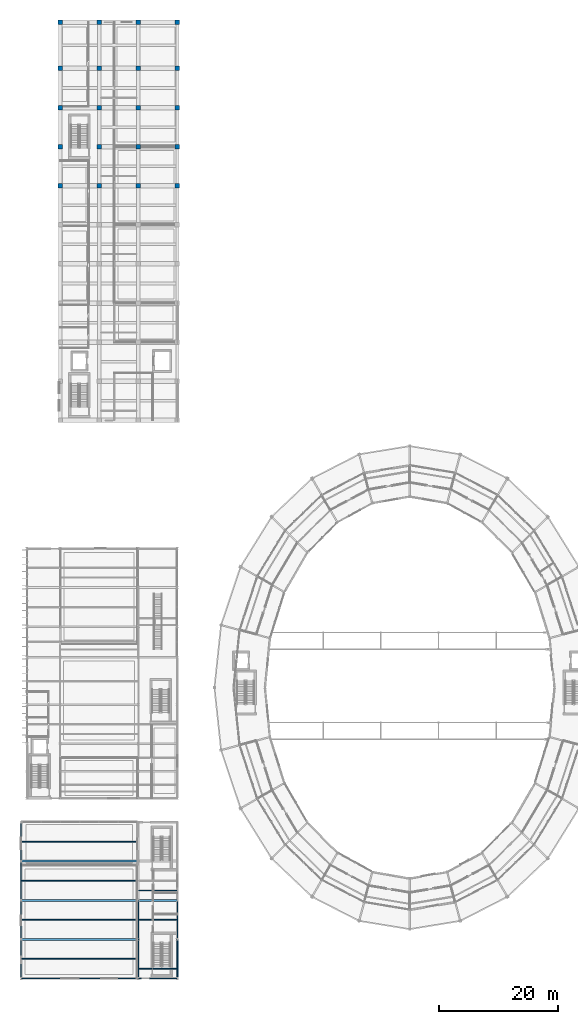
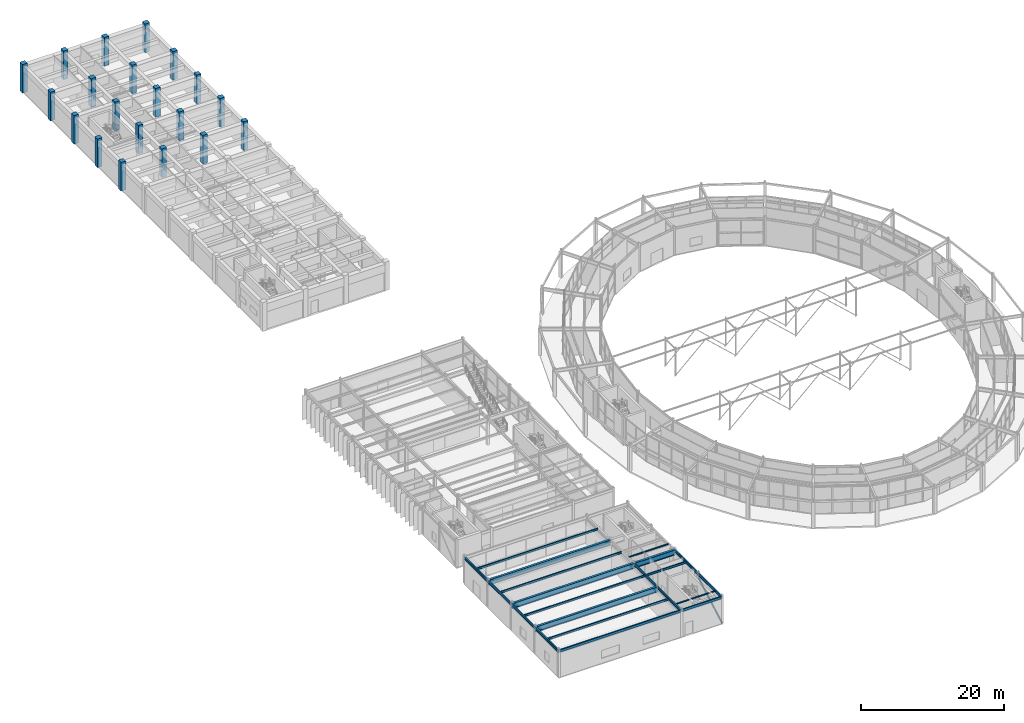
# One storey, part 18 of 144: 21 beams, 20 columns, 1 member.
"""IFC4 building model written with IfcOpenShell, lengths in metres."""

from ifc_helpers import new_model, si_unit, direction, frame, origin, origin_2d, place, context, subcontext, project, spatial, rectangle, hollow_rectangle, hollow_circle, i_section, extrude, material, material_profile, profile_set, type_object, element, save


model = new_model("IFC4")

# Units and contexts
model_context = context("Model", 3, precision=1e-05, world=origin(), true_north=direction((0.0, 1.0)))
body_context = subcontext(model_context, "Body", "Model", "MODEL_VIEW")
ifc_project = project(units=[si_unit("LENGTHUNIT", "METRE"), si_unit("AREAUNIT", "SQUARE_METRE"), si_unit("VOLUMEUNIT", "CUBIC_METRE"), si_unit("PLANEANGLEUNIT", "RADIAN"), si_unit("MASSUNIT", "GRAM", prefix="KILO")], contexts=[model_context])

# Site, building, storey
site_placement = place(None, origin())
site = spatial("IfcSite", under=ifc_project, at=site_placement, CompositionType="ELEMENT")
building_placement = place(site_placement, origin())
building = spatial("IfcBuilding", under=site, at=building_placement, Name="Karori Crest Natural Sciences Institute", CompositionType="ELEMENT")
storey_placement = place(building_placement, origin())
storey = spatial("IfcBuildingStorey", under=building, at=storey_placement, Name="L00", CompositionType="ELEMENT", Elevation=0.0)

# Columns
ifc_material_1 = material(Name="Concrete 50 MPa", Category="concrete")
ifc_material_profile_1 = material_profile(ifc_material_1, rectangle(XDim=0.75, YDim=0.75, at=origin_2d()), Name="RC750x750")
ifc_profile_set_1 = profile_set([ifc_material_profile_1], Name="Concrete 50 MPa")
column_type_1 = type_object("IfcColumnType", Name="CT-18", PredefinedType="COLUMN", material=ifc_profile_set_1)
for number, where, z_axis, x_axis, name in (
    (1, (7.39990234375, 134.60009765625, 0.0), (0.0, 0.0, 1.0), (1.0, 0.0, 0.0), "Column C-0756"),
    (2, (7.39990234375, 141.199951171875, 0.0), (0.0, 0.0, 1.0), (1.0, 0.0, 0.0), "Column C-0763"),
    (3, (7.39990234375, 147.800048828125, 0.0), (0.0, 0.0, 1.0), (1.0, 0.0, 0.0), "Column C-0770"),
    (4, (7.39990234375, 154.39990234375, 0.0), (0.0, 0.0, 1.0), (1.0, 0.0, 0.0), "Column C-0777"),
    (5, (7.39990234375, 162.199951171875, 0.0), (0.0, 0.0, 1.0), (1.0, 0.0, 0.0), "Column C-0782"),
    (6, (14.0, 162.199951171875, 0.0), (0.0, 0.0, 1.0), (1.0, 0.0, 0.0), "Column C-0859"),
    (7, (20.60009765625, 162.199951171875, 0.0), (0.0, 0.0, 1.0), (1.0, 0.0, 0.0), "Column C-0936"),
    (8, (27.199951171875, 134.60009765625, 0.0), (0.0, 0.0, 1.0), (1.0, 0.0, 0.0), "Column C-0987"),
    (9, (27.199951171875, 141.199951171875, 0.0), (0.0, 0.0, 1.0), (1.0, 0.0, 0.0), "Column C-0994"),
    (10, (27.199951171875, 147.800048828125, 0.0), (0.0, 0.0, 1.0), (1.0, 0.0, 0.0), "Column C-1001"),
    (11, (27.199951171875, 154.39990234375, 0.0), (0.0, 0.0, 1.0), (1.0, 0.0, 0.0), "Column C-1008"),
    (12, (27.199951171875, 162.199951171875, 0.0), (0.0, 0.0, 1.0), (1.0, 0.0, 0.0), "Column C-1013"),
):
    element("IfcColumn", number, at=place(storey_placement, frame(where, z_axis=z_axis, x_axis=x_axis)), inside=storey, type_object=column_type_1, Name=name, PredefinedType="COLUMN", context=body_context, shape_type="SweptSolid", body=[
        extrude(rectangle(XDim=0.75, YDim=0.75, at=origin_2d()), origin(), (0.0, 0.0, 1.0), 4.89990234375),
    ])
ifc_material_profile_2 = material_profile(ifc_material_1, rectangle(XDim=0.75, YDim=0.75, at=origin_2d()), Name="RC750x750")
ifc_profile_set_2 = profile_set([ifc_material_profile_2], Name="Concrete 50 MPa")
column_type_2 = type_object("IfcColumnType", Name="CT-18-IL", PredefinedType="COLUMN", material=ifc_profile_set_2)
for number, where, z_axis, x_axis, name in (
    (13, (14.0, 134.60009765625, 0.0), (0.0, 0.0, 1.0), (1.0, 0.0, 0.0), "Column C-0833"),
    (14, (14.0, 141.199951171875, 0.0), (0.0, 0.0, 1.0), (1.0, 0.0, 0.0), "Column C-0840"),
    (15, (14.0, 147.800048828125, 0.0), (0.0, 0.0, 1.0), (1.0, 0.0, 0.0), "Column C-0847"),
    (16, (14.0, 154.39990234375, 0.0), (0.0, 0.0, 1.0), (1.0, 0.0, 0.0), "Column C-0854"),
    (17, (20.60009765625, 134.60009765625, 0.0), (0.0, 0.0, 1.0), (1.0, 0.0, 0.0), "Column C-0910"),
    (18, (20.60009765625, 141.199951171875, 0.0), (0.0, 0.0, 1.0), (1.0, 0.0, 0.0), "Column C-0917"),
    (19, (20.60009765625, 147.800048828125, 0.0), (0.0, 0.0, 1.0), (1.0, 0.0, 0.0), "Column C-0924"),
    (20, (20.60009765625, 154.39990234375, 0.0), (0.0, 0.0, 1.0), (1.0, 0.0, 0.0), "Column C-0931"),
):
    element("IfcColumn", number, at=place(storey_placement, frame(where, z_axis=z_axis, x_axis=x_axis)), inside=storey, type_object=column_type_2, Name=name, PredefinedType="COLUMN", context=body_context, shape_type="SweptSolid", body=[
        extrude(rectangle(XDim=0.75, YDim=0.75, at=origin_2d()), origin(), (0.0, 0.0, 1.0), 4.89990234375),
    ])

# Beams
ifc_material_2 = material(Name="Structural steel AS/NZS 3679.1 Grade 350", Category="steel")
ifc_material_profile_3 = material_profile(ifc_material_2, i_section(OverallWidth=0.35009765625, OverallDepth=0.907958984375, WebThickness=0.01611328125, FlangeThickness=0.028076171875, FilletRadius=0.01611328125, at=origin_2d()), Name="900WB257")
ifc_profile_set_3 = profile_set([ifc_material_profile_3], Name="Structural steel AS/NZS 3679.1 Grade 350")
beam_type_1 = type_object("IfcBeamType", Name="BT-01", PredefinedType="BEAM", material=ifc_profile_set_3)
for number, where, z_axis, x_axis, name in (
    (21, (0.800048828125, 7.39990234375, 4.166015625), (1.0, 0.0, 0.0), (0.0, 1.0, 0.0), "Beam B-0787"),
    (22, (0.800048828125, 14.0, 4.166015625), (1.0, 0.0, 0.0), (0.0, 1.0, 0.0), "Beam B-0788"),
):
    element("IfcBeam", number, at=place(storey_placement, frame(where, z_axis=z_axis, x_axis=x_axis)), inside=storey, type_object=beam_type_1, Name=name, PredefinedType="BEAM", context=body_context, shape_type="SweptSolid", body=[
        extrude(i_section(OverallWidth=0.35009765625, OverallDepth=0.907958984375, WebThickness=0.01611328125, FlangeThickness=0.028076171875, FilletRadius=0.01611328125, at=origin_2d()), origin(), (0.0, 0.0, 1.0), 19.800048828125),
    ])
beam_1_placement = place(storey_placement, frame((20.60009765625, 14.0, 4.166015625), z_axis=(1.0, 0.0, 0.0), x_axis=(0.0, 1.0, 0.0)))
element("IfcBeam", 23, at=beam_1_placement, inside=storey, type_object=beam_type_1, Name="Beam B-0789", PredefinedType="BEAM", context=body_context, shape_type="SweptSolid", body=[
    extrude(i_section(OverallWidth=0.35009765625, OverallDepth=0.907958984375, WebThickness=0.01611328125, FlangeThickness=0.028076171875, FilletRadius=0.01611328125, at=origin_2d()), origin(), (0.0, 0.0, 1.0), 6.599853515625),
])
beam_2_placement = place(storey_placement, frame((0.800048828125, 20.60009765625, 4.166015625), z_axis=(1.0, 0.0, 0.0), x_axis=(0.0, 1.0, 0.0)))
element("IfcBeam", 24, at=beam_2_placement, inside=storey, type_object=beam_type_1, Name="Beam B-0790", PredefinedType="BEAM", context=body_context, shape_type="SweptSolid", body=[
    extrude(i_section(OverallWidth=0.35009765625, OverallDepth=0.907958984375, WebThickness=0.01611328125, FlangeThickness=0.028076171875, FilletRadius=0.01611328125, at=origin_2d()), origin(), (0.0, 0.0, 1.0), 19.800048828125),
])
ifc_material_profile_4 = material_profile(ifc_material_2, i_section(OverallWidth=0.19091796875, OverallDepth=0.4599609375, WebThickness=0.010009765625, FlangeThickness=0.01611328125, FilletRadius=0.010986328125, at=origin_2d()), Name="460UB82.1")
ifc_profile_set_4 = profile_set([ifc_material_profile_4], Name="Structural steel AS/NZS 3679.1 Grade 350")
beam_type_2 = type_object("IfcBeamType", Name="BT-06", PredefinedType="BEAM", material=ifc_profile_set_4)
beam_3_placement = place(storey_placement, frame((20.60009765625, 0.800048828125, 4.389892578125), z_axis=(0.0, 1.0, 0.0), x_axis=(-1.0, 0.0, 0.0)))
element("IfcBeam", 25, at=beam_3_placement, inside=storey, type_object=beam_type_2, Name="Beam B-0798", PredefinedType="BEAM", context=body_context, shape_type="SweptSolid", body=[
    extrude(i_section(OverallWidth=0.19091796875, OverallDepth=0.4599609375, WebThickness=0.010009765625, FlangeThickness=0.01611328125, FilletRadius=0.010986328125, at=origin_2d()), origin(), (0.0, 0.0, 1.0), 6.599853515625),
])
beam_4_placement = place(storey_placement, frame((20.60009765625, 7.39990234375, 4.389892578125), z_axis=(0.0, 1.0, 0.0), x_axis=(-1.0, 0.0, 0.0)))
element("IfcBeam", 26, at=beam_4_placement, inside=storey, type_object=beam_type_2, Name="Beam B-0799", PredefinedType="BEAM", context=body_context, shape_type="SweptSolid", body=[
    extrude(i_section(OverallWidth=0.19091796875, OverallDepth=0.4599609375, WebThickness=0.010009765625, FlangeThickness=0.01611328125, FilletRadius=0.010986328125, at=origin_2d()), origin(), (0.0, 0.0, 1.0), 6.60009765625),
])
ifc_material_profile_5 = material_profile(ifc_material_2, i_section(OverallWidth=0.19091796875, OverallDepth=0.4599609375, WebThickness=0.010009765625, FlangeThickness=0.01611328125, FilletRadius=0.010986328125, at=origin_2d()), Name="460UB82.1")
ifc_profile_set_5 = profile_set([ifc_material_profile_5], Name="Structural steel AS/NZS 3679.1 Grade 350")
beam_type_3 = type_object("IfcBeamType", Name="BT-06-EL", PredefinedType="BEAM", material=ifc_profile_set_5)
beam_5_placement = place(storey_placement, frame((0.800048828125, 0.800048828125, 4.389892578125), z_axis=(0.0, 1.0, 0.0), x_axis=(-1.0, 0.0, 0.0)))
element("IfcBeam", 27, at=beam_5_placement, inside=storey, type_object=beam_type_3, Name="Beam B-0794", PredefinedType="BEAM", context=body_context, shape_type="SweptSolid", body=[
    extrude(i_section(OverallWidth=0.19091796875, OverallDepth=0.4599609375, WebThickness=0.010009765625, FlangeThickness=0.01611328125, FilletRadius=0.010986328125, at=origin_2d()), origin(), (0.0, 0.0, 1.0), 6.599853515625),
])
for number, where, z_axis, x_axis, name in (
    (28, (0.800048828125, 7.39990234375, 4.389892578125), (0.0, 1.0, 0.0), (-1.0, 0.0, 0.0), "Beam B-0795"),
    (29, (0.800048828125, 14.0, 4.389892578125), (0.0, 1.0, 0.0), (-1.0, 0.0, 0.0), "Beam B-0796"),
):
    element("IfcBeam", number, at=place(storey_placement, frame(where, z_axis=z_axis, x_axis=x_axis)), inside=storey, type_object=beam_type_3, Name=name, PredefinedType="BEAM", context=body_context, shape_type="SweptSolid", body=[
        extrude(i_section(OverallWidth=0.19091796875, OverallDepth=0.4599609375, WebThickness=0.010009765625, FlangeThickness=0.01611328125, FilletRadius=0.010986328125, at=origin_2d()), origin(), (0.0, 0.0, 1.0), 6.60009765625),
    ])
for number, where, z_axis, x_axis, name in (
    (30, (0.800048828125, 20.60009765625, 4.389892578125), (0.0, 1.0, 0.0), (-1.0, 0.0, 0.0), "Beam B-0797"),
    (31, (27.199951171875, 0.800048828125, 4.389892578125), (0.0, 1.0, 0.0), (-1.0, 0.0, 0.0), "Beam B-0802"),
):
    element("IfcBeam", number, at=place(storey_placement, frame(where, z_axis=z_axis, x_axis=x_axis)), inside=storey, type_object=beam_type_3, Name=name, PredefinedType="BEAM", context=body_context, shape_type="SweptSolid", body=[
        extrude(i_section(OverallWidth=0.19091796875, OverallDepth=0.4599609375, WebThickness=0.010009765625, FlangeThickness=0.01611328125, FilletRadius=0.010986328125, at=origin_2d()), origin(), (0.0, 0.0, 1.0), 6.599853515625),
    ])
beam_6_placement = place(storey_placement, frame((27.199951171875, 7.39990234375, 4.389892578125), z_axis=(0.0, 1.0, 0.0), x_axis=(-1.0, 0.0, 0.0)))
element("IfcBeam", 32, at=beam_6_placement, inside=storey, type_object=beam_type_3, Name="Beam B-0803", PredefinedType="BEAM", context=body_context, shape_type="SweptSolid", body=[
    extrude(i_section(OverallWidth=0.19091796875, OverallDepth=0.4599609375, WebThickness=0.010009765625, FlangeThickness=0.01611328125, FilletRadius=0.010986328125, at=origin_2d()), origin(), (0.0, 0.0, 1.0), 6.60009765625),
])
ifc_material_profile_6 = material_profile(ifc_material_2, i_section(OverallWidth=0.172119140625, OverallDepth=0.35888671875, WebThickness=0.008056640625, FlangeThickness=0.012939453125, FilletRadius=0.010986328125, at=origin_2d()), Name="360UB56.7")
ifc_profile_set_6 = profile_set([ifc_material_profile_6], Name="Structural steel AS/NZS 3679.1 Grade 350")
beam_type_4 = type_object("IfcBeamType", Name="BT-08", PredefinedType="BEAM", material=ifc_profile_set_6)
for number, where, z_axis, x_axis, name in (
    (33, (0.8955078125, 4.10009765625, 4.4404296875), (1.0, 0.0, 0.0), (0.0, 1.0, 0.0), "Beam B-0806"),
    (34, (0.8955078125, 10.699951171875, 4.4404296875), (1.0, 0.0, 0.0), (0.0, 1.0, 0.0), "Beam B-0807"),
    (35, (0.8955078125, 17.300048828125, 4.4404296875), (1.0, 0.0, 0.0), (0.0, 1.0, 0.0), "Beam B-0808"),
    (36, (0.8955078125, 23.89990234375, 4.4404296875), (1.0, 0.0, 0.0), (0.0, 1.0, 0.0), "Beam B-0809"),
):
    element("IfcBeam", number, at=place(storey_placement, frame(where, z_axis=z_axis, x_axis=x_axis)), inside=storey, type_object=beam_type_4, Name=name, PredefinedType="BEAM", context=body_context, shape_type="SweptSolid", body=[
        extrude(i_section(OverallWidth=0.172119140625, OverallDepth=0.35888671875, WebThickness=0.008056640625, FlangeThickness=0.012939453125, FilletRadius=0.010986328125, at=origin_2d()), origin(), (0.0, 0.0, 1.0), 19.60888671875),
    ])
beam_7_placement = place(storey_placement, frame((20.695556640625, 10.699951171875, 4.4404296875), z_axis=(1.0, 0.0, 0.0), x_axis=(0.0, 1.0, 0.0)))
element("IfcBeam", 37, at=beam_7_placement, inside=storey, type_object=beam_type_4, Name="Beam B-0811", PredefinedType="BEAM", context=body_context, shape_type="SweptSolid", body=[
    extrude(i_section(OverallWidth=0.172119140625, OverallDepth=0.35888671875, WebThickness=0.008056640625, FlangeThickness=0.012939453125, FilletRadius=0.010986328125, at=origin_2d()), origin(), (0.0, 0.0, 1.0), 6.408935546875),
])
ifc_material_3 = material(Name="Hollow structural steel AS/NZS 1163 Grade C350", Category="steel")
ifc_material_profile_7 = material_profile(ifc_material_3, hollow_rectangle(XDim=0.199951171875, YDim=0.39990234375, WallThickness=0.012451171875, at=origin_2d()), Name="RHS400x200x12.5")
ifc_profile_set_7 = profile_set([ifc_material_profile_7], Name="Hollow structural steel AS/NZS 1163 Grade C350")
beam_type_5 = type_object("IfcBeamType", Name="BT-14", PredefinedType="SPANDREL", material=ifc_profile_set_7)
beam_8_placement = place(storey_placement, frame((0.800048828125, 0.800048828125, 4.419921875), z_axis=(1.0, 0.0, 0.0), x_axis=(0.0, 1.0, 0.0)))
element("IfcBeam", 38, at=beam_8_placement, inside=storey, type_object=beam_type_5, Name="Beam B-0785", PredefinedType="SPANDREL", context=body_context, shape_type="SweptSolid", body=[
    extrude(hollow_rectangle(XDim=0.199951171875, YDim=0.39990234375, WallThickness=0.012451171875, at=origin_2d()), origin(), (0.0, 0.0, 1.0), 19.800048828125),
])
beam_9_placement = place(storey_placement, frame((20.60009765625, 0.800048828125, 4.419921875), z_axis=(1.0, 0.0, 0.0), x_axis=(0.0, 1.0, 0.0)))
element("IfcBeam", 39, at=beam_9_placement, inside=storey, type_object=beam_type_5, Name="Beam B-0786", PredefinedType="SPANDREL", context=body_context, shape_type="SweptSolid", body=[
    extrude(hollow_rectangle(XDim=0.199951171875, YDim=0.39990234375, WallThickness=0.012451171875, at=origin_2d()), origin(), (0.0, 0.0, 1.0), 6.599853515625),
])
ifc_material_profile_8 = material_profile(ifc_material_2, i_section(OverallWidth=0.133056640625, OverallDepth=0.202880859375, WebThickness=0.005859375, FlangeThickness=0.0078125, FilletRadius=0.009033203125, at=origin_2d()), Name="200UB25.4")
ifc_profile_set_8 = profile_set([ifc_material_profile_8], Name="Structural steel AS/NZS 3679.1 Grade 350")
beam_type_6 = type_object("IfcBeamType", Name="BT-23", PredefinedType="LINTEL", material=ifc_profile_set_8)
beam_10_placement = place(storey_placement, frame((20.695556640625, 2.449951171875, 4.5185546875), z_axis=(1.0, 0.0, 0.0), x_axis=(0.0, 1.0, 0.0)))
element("IfcBeam", 40, at=beam_10_placement, inside=storey, type_object=beam_type_6, Name="Beam B-0810", PredefinedType="LINTEL", context=body_context, shape_type="SweptSolid", body=[
    extrude(i_section(OverallWidth=0.133056640625, OverallDepth=0.202880859375, WebThickness=0.005859375, FlangeThickness=0.0078125, FilletRadius=0.009033203125, at=origin_2d()), origin(), (0.0, 0.0, 1.0), 6.408935546875),
])
ifc_material_profile_9 = material_profile(ifc_material_2, i_section(OverallWidth=0.090087890625, OverallDepth=0.178955078125, WebThickness=0.006103515625, FlangeThickness=0.010009765625, FilletRadius=0.009033203125, at=origin_2d()), Name="180UB22.2")
ifc_profile_set_9 = profile_set([ifc_material_profile_9], Name="Structural steel AS/NZS 3679.1 Grade 350")
beam_type_7 = type_object("IfcBeamType", Name="BT-24", PredefinedType="LINTEL", material=ifc_profile_set_9)
beam_11_placement = place(storey_placement, frame((20.695556640625, 15.64990234375, 4.530517578125), z_axis=(1.0, 0.0, 0.0), x_axis=(0.0, 1.0, 0.0)))
element("IfcBeam", 41, at=beam_11_placement, inside=storey, type_object=beam_type_7, Name="Beam B-0813", PredefinedType="LINTEL", context=body_context, shape_type="SweptSolid", body=[
    extrude(i_section(OverallWidth=0.090087890625, OverallDepth=0.178955078125, WebThickness=0.006103515625, FlangeThickness=0.010009765625, FilletRadius=0.009033203125, at=origin_2d()), origin(), (0.0, 0.0, 1.0), 6.408935546875),
])

# Member
ifc_material_profile_10 = material_profile(ifc_material_3, hollow_circle(Radius=0.136474609375, WallThickness=0.00927734375, at=origin_2d()), Name="CHS273.0x9.3")
ifc_profile_set_10 = profile_set([ifc_material_profile_10], Name="Hollow structural steel AS/NZS 1163 Grade C350")
member_type = type_object("IfcMemberType", Name="MT-01-EL", PredefinedType="BRACE", material=ifc_profile_set_10)
member_placement = place(storey_placement, frame((27.199951171875, 0.800048828125, 0.010009765625), z_axis=(0.0, 0.871603950911, 0.490210722808), x_axis=(-1.0, 0.0, 0.0)))
element("IfcMember", 42, at=member_placement, inside=storey, type_object=member_type, Name="Diagonal Brace M-0243", PredefinedType="BRACE", context=body_context, shape_type="SweptSolid", body=[
    extrude(hollow_circle(Radius=0.136474609375, WallThickness=0.00927734375, at=origin_2d()), origin(), (0.0, 0.0, 1.0), 7.572021484375),
])

save(model, "model.ifc")
